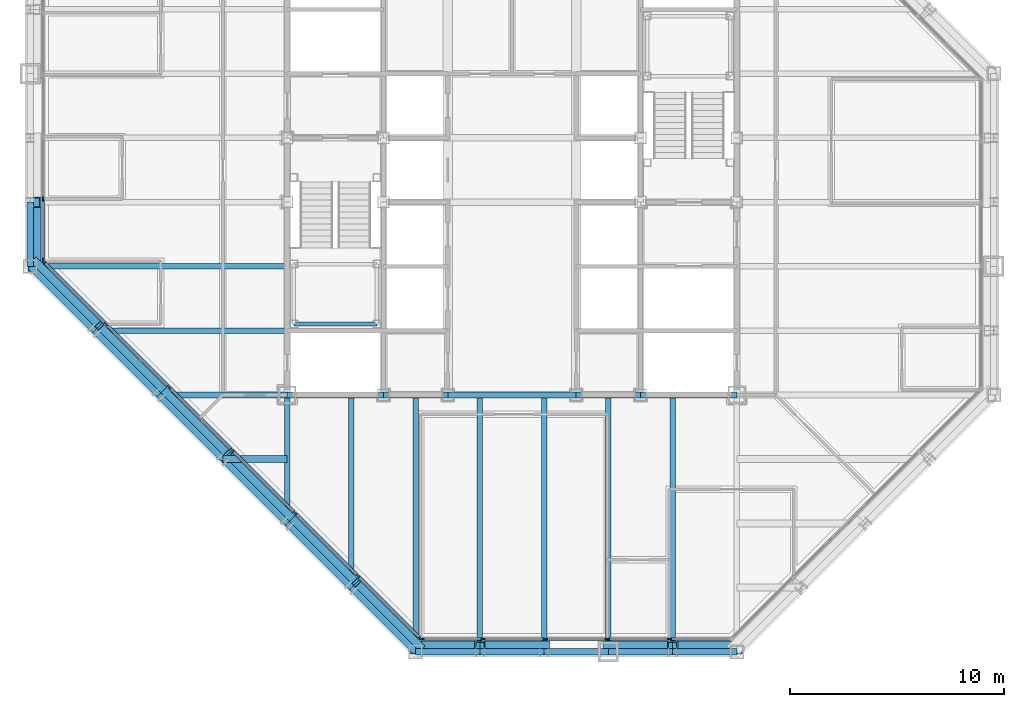
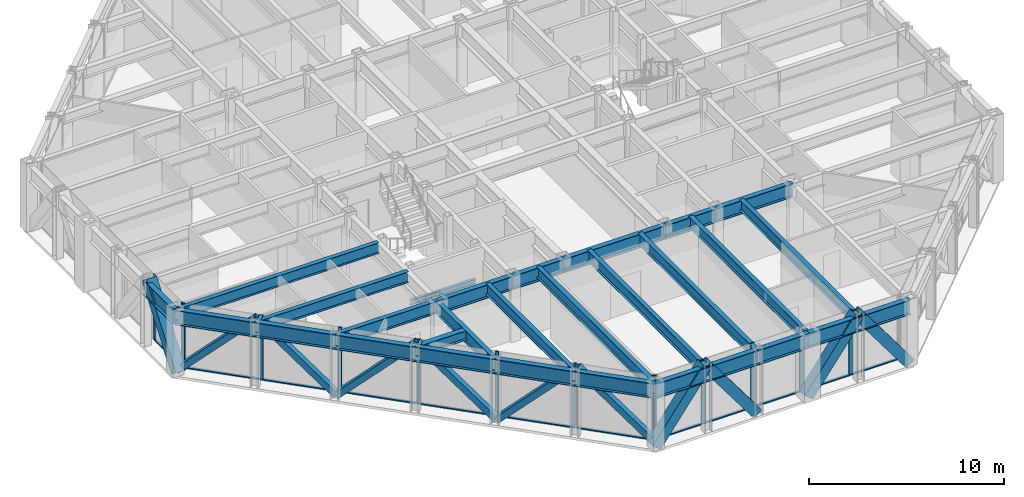
# One storey, part 5 of 16: 37 members, 29 beams, 3 elements without a shape of their own.
"""IFC4 building model written with IfcOpenShell, lengths in metres."""

from ifc_helpers import new_model, si_unit, direction, frame, origin, origin_2d, place, context, subcontext, project, spatial, rectangle, hollow_rectangle, i_section, extrude, material, layer, layer_set, material_profile, profile_set, type_object, element, aggregate, save


model = new_model("IFC4")

# Units and contexts
model_context = context("Model", 3, precision=1e-05, world=origin(), true_north=direction((0.0, 1.0)))
body_context = subcontext(model_context, "Body", "Model", "MODEL_VIEW")
ifc_project = project(units=[si_unit("LENGTHUNIT", "METRE"), si_unit("AREAUNIT", "SQUARE_METRE"), si_unit("VOLUMEUNIT", "CUBIC_METRE"), si_unit("PLANEANGLEUNIT", "RADIAN"), si_unit("MASSUNIT", "GRAM", prefix="KILO")], contexts=[model_context])

# Site, building, storey
site_placement = place(None, origin())
site = spatial("IfcSite", under=ifc_project, at=site_placement, CompositionType="ELEMENT")
building_placement = place(site_placement, origin())
building = spatial("IfcBuilding", under=site, at=building_placement, Name="Chuquiago Exchange Tower", CompositionType="ELEMENT")
storey_placement = place(building_placement, frame((0.0, 0.0, 230.699951171875)))
storey = spatial("IfcBuildingStorey", under=building, at=storey_placement, Name="L51", CompositionType="ELEMENT", Elevation=230.699951171875)

# Beams
ifc_material_1 = material(Name="Steel ASTM A992", Category="steel")
ifc_material_profile_1 = material_profile(ifc_material_1, i_section(OverallWidth=0.25390625, OverallDepth=0.683349609375, WebThickness=0.012451171875, FlangeThickness=0.018798828125, at=origin_2d()), Name="W27X94")
ifc_profile_set_1 = profile_set([ifc_material_profile_1], Name="Steel ASTM A992")
beam_type_1 = type_object("IfcBeamType", Name="B1 W27X94", PredefinedType="BEAM", material=ifc_profile_set_1)
beam_1_placement = place(storey_placement, frame((15.0, 12.0, 3.698486328125), z_axis=(0.0, -1.0, 0.0), x_axis=(1.0, 0.0, 0.0)))
element("IfcBeam", 1, at=beam_1_placement, inside=storey, type_object=beam_type_1, Name="FB-L52-infill-15_12-15_3-0", PredefinedType="BEAM", context=body_context, shape_type="SweptSolid", body=[
    extrude(i_section(OverallWidth=0.25390625, OverallDepth=0.683349609375, WebThickness=0.012451171875, FlangeThickness=0.018798828125, at=origin_2d()), origin(), (0.0, 0.0, 1.0), 9.0),
])
for number, where, z_axis, x_axis, name in (
    (2, (18.0, 12.0, 3.698486328125), (0.0, -1.0, 0.0), (1.0, 0.0, 0.0), "FB-L52-infill-18_12-18_-0-0"),
    (3, (21.0, 12.0, 3.698486328125), (0.0, -1.0, 0.0), (1.0, 0.0, 0.0), "FB-L52-infill-21_12-21_-0-0"),
    (4, (24.0, 12.0, 3.698486328125), (0.0, -1.0, 0.0), (1.0, 0.0, 0.0), "FB-L52-infill-24_12-24_-0-0"),
    (5, (27.0, 12.0, 3.698486328125), (0.0, -1.0, 0.0), (1.0, 0.0, 0.0), "FB-L52-infill-27_12-27_-0-0"),
    (6, (30.0, 12.0, 3.698486328125), (0.0, -1.0, 0.0), (1.0, 0.0, 0.0), "FB-L52-infill-30_12-30_-0-0"),
):
    element("IfcBeam", number, at=place(storey_placement, frame(where, z_axis=z_axis, x_axis=x_axis)), inside=storey, type_object=beam_type_1, Name=name, PredefinedType="BEAM", context=body_context, shape_type="SweptSolid", body=[
        extrude(i_section(OverallWidth=0.25390625, OverallDepth=0.683349609375, WebThickness=0.012451171875, FlangeThickness=0.018798828125, at=origin_2d()), origin(), (0.0, 0.0, 1.0), 12.0),
    ])
beam_2_placement = place(storey_placement, frame((12.0, 15.0, 3.698486328125), z_axis=(-1.0, 0.0, 0.0), x_axis=(0.0, -1.0, 0.0)))
element("IfcBeam", 7, at=beam_2_placement, inside=storey, type_object=beam_type_1, Name="FB-L52-infill-12_15-3_15-0", PredefinedType="BEAM", context=body_context, shape_type="SweptSolid", body=[
    extrude(i_section(OverallWidth=0.25390625, OverallDepth=0.683349609375, WebThickness=0.012451171875, FlangeThickness=0.018798828125, at=origin_2d()), origin(), (0.0, 0.0, 1.0), 9.0),
])
beam_3_placement = place(storey_placement, frame((12.0, 18.0, 3.698486328125), z_axis=(-1.0, 0.0, 0.0), x_axis=(0.0, -1.0, 0.0)))
element("IfcBeam", 8, at=beam_3_placement, inside=storey, type_object=beam_type_1, Name="FB-L52-infill-12_18--0_18-0", PredefinedType="BEAM", context=body_context, shape_type="SweptSolid", body=[
    extrude(i_section(OverallWidth=0.25390625, OverallDepth=0.683349609375, WebThickness=0.012451171875, FlangeThickness=0.018798828125, at=origin_2d()), origin(), (0.0, 0.0, 1.0), 12.0),
])
ifc_material_2 = material(Name="Steel ASTM A992", Category="steel")
ifc_material_profile_2 = material_profile(ifc_material_2, i_section(OverallWidth=0.3251953125, OverallDepth=0.612060546875, WebThickness=0.0126953125, FlangeThickness=0.01904296875, at=origin_2d()), Name="W24X104")
ifc_profile_set_2 = profile_set([ifc_material_profile_2], Name="Steel ASTM A992")
beam_type_2 = type_object("IfcBeamType", Name="B2 W24X104", PredefinedType="BEAM", material=ifc_profile_set_2)
beam_4_placement = place(storey_placement, frame((12.0, 9.0, 3.73388671875), z_axis=(-1.0, 0.0, 0.0), x_axis=(0.0, -1.0, 0.0)))
element("IfcBeam", 9, at=beam_4_placement, inside=storey, type_object=beam_type_2, Name="FB-L52-corner-12_9-9_9-0", PredefinedType="BEAM", context=body_context, shape_type="SweptSolid", body=[
    extrude(i_section(OverallWidth=0.3251953125, OverallDepth=0.612060546875, WebThickness=0.0126953125, FlangeThickness=0.01904296875, at=origin_2d()), origin(), (0.0, 0.0, 1.0), 3.0),
])
ifc_material_3 = material(Name="Steel ASTM A992", Category="steel")
ifc_material_profile_3 = material_profile(ifc_material_3, i_section(OverallWidth=0.2919921875, OverallDepth=0.8583984375, WebThickness=0.01708984375, FlangeThickness=0.031005859375, at=origin_2d()), Name="W33X169")
ifc_profile_set_3 = profile_set([ifc_material_profile_3], Name="Steel ASTM A992")
beam_type_3 = type_object("IfcBeamType", Name="B3 W33X169", PredefinedType="BEAM", material=ifc_profile_set_3)
beam_5_placement = place(storey_placement, frame((12.0, 12.0, 3.61083984375), z_axis=(1.0, 0.0, 0.0), x_axis=(0.0, 1.0, 0.0)))
element("IfcBeam", 10, at=beam_5_placement, inside=storey, type_object=beam_type_3, Name="CB-L52-12_12-16.5_12", PredefinedType="BEAM", context=body_context, shape_type="SweptSolid", body=[
    extrude(i_section(OverallWidth=0.2919921875, OverallDepth=0.8583984375, WebThickness=0.01708984375, FlangeThickness=0.031005859375, at=origin_2d()), origin(), (0.0, 0.0, 1.0), 4.5),
])
beam_6_placement = place(storey_placement, frame((16.5, 12.0, 3.61083984375), z_axis=(1.0, 0.0, 0.0), x_axis=(0.0, 1.0, 0.0)))
element("IfcBeam", 11, at=beam_6_placement, inside=storey, type_object=beam_type_3, Name="CB-L52-16.5_12-19.5_12", PredefinedType="BEAM", context=body_context, shape_type="SweptSolid", body=[
    extrude(i_section(OverallWidth=0.2919921875, OverallDepth=0.8583984375, WebThickness=0.01708984375, FlangeThickness=0.031005859375, at=origin_2d()), origin(), (0.0, 0.0, 1.0), 3.0),
])
beam_7_placement = place(storey_placement, frame((19.5, 12.0, 3.61083984375), z_axis=(1.0, 0.0, 0.0), x_axis=(0.0, 1.0, 0.0)))
element("IfcBeam", 12, at=beam_7_placement, inside=storey, type_object=beam_type_3, Name="CB-L52-19.5_12-25.5_12", PredefinedType="BEAM", context=body_context, shape_type="SweptSolid", body=[
    extrude(i_section(OverallWidth=0.2919921875, OverallDepth=0.8583984375, WebThickness=0.01708984375, FlangeThickness=0.031005859375, at=origin_2d()), origin(), (0.0, 0.0, 1.0), 6.0),
])
beam_8_placement = place(storey_placement, frame((25.5, 12.0, 3.61083984375), z_axis=(1.0, 0.0, 0.0), x_axis=(0.0, 1.0, 0.0)))
element("IfcBeam", 13, at=beam_8_placement, inside=storey, type_object=beam_type_3, Name="CB-L52-25.5_12-28.5_12", PredefinedType="BEAM", context=body_context, shape_type="SweptSolid", body=[
    extrude(i_section(OverallWidth=0.2919921875, OverallDepth=0.8583984375, WebThickness=0.01708984375, FlangeThickness=0.031005859375, at=origin_2d()), origin(), (0.0, 0.0, 1.0), 3.0),
])
beam_9_placement = place(storey_placement, frame((28.5, 12.0, 3.61083984375), z_axis=(1.0, 0.0, 0.0), x_axis=(0.0, 1.0, 0.0)))
element("IfcBeam", 14, at=beam_9_placement, inside=storey, type_object=beam_type_3, Name="CB-L52-28.5_12-33_12", PredefinedType="BEAM", context=body_context, shape_type="SweptSolid", body=[
    extrude(i_section(OverallWidth=0.2919921875, OverallDepth=0.8583984375, WebThickness=0.01708984375, FlangeThickness=0.031005859375, at=origin_2d()), origin(), (0.0, 0.0, 1.0), 4.5),
])

# Curtain wall, members
ifc_material_4 = material(Name="Aluminium curtain wall system", Category="aluminium")
ifc_layer_1 = layer(ifc_material_4, 0.22509765625)
ifc_layer_set_1 = layer_set([ifc_layer_1], Name="CW2 office curtain wall")
curtain_wall_type_1 = type_object("IfcCurtainWallType", Name="CW2 office curtain wall", PredefinedType="NOTDEFINED", material=ifc_layer_set_1)
curtain_wall_1_placement = place(storey_placement, origin())
curtain_wall_1 = element("IfcCurtainWall", 15, at=curtain_wall_1_placement, inside=storey, type_object=curtain_wall_type_1, Name="CW2 curtain wall L51", PredefinedType="NOTDEFINED")
ifc_material_5 = material(Name="Aluminium mullion, pale anodised", Category="aluminium")
ifc_material_profile_4 = material_profile(ifc_material_5, rectangle(XDim=0.06494140625, YDim=0.22509765625, at=origin_2d()), Name="AL 65x225")
ifc_profile_set_4 = profile_set([ifc_material_profile_4], Name="Aluminium mullion, pale anodised")
member_type_1 = type_object("IfcMemberType", Name="CW2-M mullion 65x225", PredefinedType="MULLION", material=ifc_profile_set_4)
member_1_placement = place(storey_placement, frame((18.281005859375, 0.60009765625, 0.0), z_axis=(0.0, 0.0, 1.0), x_axis=(0.0, 1.0, 0.0)))
member_1 = element("IfcMember", 16, at=member_1_placement, type_object=member_type_1, Name="CW2 mullion 1", PredefinedType="MULLION", context=body_context, shape_type="SweptSolid", body=[
    extrude(rectangle(XDim=0.06494140625, YDim=0.22509765625, at=origin_2d()), origin(), (0.0, 0.0, 1.0), 4.0400390625),
])
member_2_placement = place(storey_placement, frame((21.149169921875, 0.60009765625, 0.0), z_axis=(0.0, 0.0, 1.0), x_axis=(0.0, 1.0, 0.0)))
member_2 = element("IfcMember", 17, at=member_2_placement, type_object=member_type_1, Name="CW2 mullion 2", PredefinedType="MULLION", context=body_context, shape_type="SweptSolid", body=[
    extrude(rectangle(XDim=0.06494140625, YDim=0.22509765625, at=origin_2d()), origin(), (0.0, 0.0, 1.0), 4.0400390625),
])
member_3_placement = place(storey_placement, frame((24.0498046875, 0.60009765625, 0.0), z_axis=(0.0, 0.0, 1.0), x_axis=(0.0, 1.0, 0.0)))
member_3 = element("IfcMember", 18, at=member_3_placement, type_object=member_type_1, Name="CW2 mullion 3", PredefinedType="MULLION", context=body_context, shape_type="SweptSolid", body=[
    extrude(rectangle(XDim=0.06494140625, YDim=0.22509765625, at=origin_2d()), origin(), (0.0, 0.0, 1.0), 4.0400390625),
])
member_4_placement = place(storey_placement, frame((26.9501953125, 0.60009765625, 0.0), z_axis=(0.0, 0.0, 1.0), x_axis=(0.0, 1.0, 0.0)))
member_4 = element("IfcMember", 19, at=member_4_placement, type_object=member_type_1, Name="CW2 mullion 4", PredefinedType="MULLION", context=body_context, shape_type="SweptSolid", body=[
    extrude(rectangle(XDim=0.06494140625, YDim=0.22509765625, at=origin_2d()), origin(), (0.0, 0.0, 1.0), 4.0400390625),
])
member_5_placement = place(storey_placement, frame((29.850830078125, 0.60009765625, 0.0), z_axis=(0.0, 0.0, 1.0), x_axis=(0.0, 1.0, 0.0)))
member_5 = element("IfcMember", 20, at=member_5_placement, type_object=member_type_1, Name="CW2 mullion 5", PredefinedType="MULLION", context=body_context, shape_type="SweptSolid", body=[
    extrude(rectangle(XDim=0.06494140625, YDim=0.22509765625, at=origin_2d()), origin(), (0.0, 0.0, 1.0), 4.0400390625),
])

curtain_wall_2_placement = place(storey_placement, origin())
curtain_wall_2 = element("IfcCurtainWall", 21, at=curtain_wall_2_placement, inside=storey, type_object=curtain_wall_type_1, Name="CW2 curtain wall L51", PredefinedType="NOTDEFINED")
member_6_placement = place(storey_placement, frame((0.60009765625, 21.149169921875, 0.0), z_axis=(0.0, 0.0, 1.0), x_axis=(1.0, 0.0, 0.0)))
member_6 = element("IfcMember", 22, at=member_6_placement, type_object=member_type_1, Name="CW2 mullion 5", PredefinedType="MULLION", context=body_context, shape_type="SweptSolid", body=[
    extrude(rectangle(XDim=0.06494140625, YDim=0.22509765625, at=origin_2d()), origin(), (0.0, 0.0, 1.0), 4.0400390625),
])
member_7_placement = place(storey_placement, frame((0.60009765625, 18.281005859375, 0.0), z_axis=(0.0, 0.0, 1.0), x_axis=(1.0, 0.0, 0.0)))
member_7 = element("IfcMember", 23, at=member_7_placement, type_object=member_type_1, Name="CW2 mullion 6", PredefinedType="MULLION", context=body_context, shape_type="SweptSolid", body=[
    extrude(rectangle(XDim=0.06494140625, YDim=0.22509765625, at=origin_2d()), origin(), (0.0, 0.0, 1.0), 4.0400390625),
])

# Member
ifc_material_6 = material(Name="Aluminium transom, pale anodised", Category="aluminium")
ifc_material_profile_5 = material_profile(ifc_material_6, rectangle(XDim=0.139892578125, YDim=0.06494140625, at=origin_2d()), Name="AL 140x65")
ifc_profile_set_5 = profile_set([ifc_material_profile_5], Name="Aluminium transom, pale anodised")
member_type_2 = type_object("IfcMemberType", Name="CW2-T transom 65x140", PredefinedType="MULLION", material=ifc_profile_set_5)
member_8_placement = place(storey_placement, frame((18.3134765625, 0.60009765625, 0.032470703125), z_axis=(1.0, 0.0, 0.0), x_axis=(0.0, 1.0, 0.0)))
member_8 = element("IfcMember", 24, at=member_8_placement, type_object=member_type_2, Name="CW2 transom 1.1", PredefinedType="MULLION", context=body_context, shape_type="SweptSolid", body=[
    extrude(rectangle(XDim=0.139892578125, YDim=0.06494140625, at=origin_2d()), origin(), (0.0, 0.0, 1.0), 2.80322265625),
])

member_9_placement = place(storey_placement, frame((21.181640625, 0.60009765625, 0.032470703125), z_axis=(1.0, 0.0, 0.0), x_axis=(0.0, 1.0, 0.0)))
member_9 = element("IfcMember", 25, at=member_9_placement, type_object=member_type_2, Name="CW2 transom 2.1", PredefinedType="MULLION", context=body_context, shape_type="SweptSolid", body=[
    extrude(rectangle(XDim=0.139892578125, YDim=0.06494140625, at=origin_2d()), origin(), (0.0, 0.0, 1.0), 2.83544921875),
])

member_10_placement = place(storey_placement, frame((24.082275390625, 0.60009765625, 0.032470703125), z_axis=(1.0, 0.0, 0.0), x_axis=(0.0, 1.0, 0.0)))
member_10 = element("IfcMember", 26, at=member_10_placement, type_object=member_type_2, Name="CW2 transom 3.1", PredefinedType="MULLION", context=body_context, shape_type="SweptSolid", body=[
    extrude(rectangle(XDim=0.139892578125, YDim=0.06494140625, at=origin_2d()), origin(), (0.0, 0.0, 1.0), 2.83544921875),
])

member_11_placement = place(storey_placement, frame((26.98291015625, 0.60009765625, 0.032470703125), z_axis=(1.0, 0.0, 0.0), x_axis=(0.0, 1.0, 0.0)))
member_11 = element("IfcMember", 27, at=member_11_placement, type_object=member_type_2, Name="CW2 transom 4.1", PredefinedType="MULLION", context=body_context, shape_type="SweptSolid", body=[
    extrude(rectangle(XDim=0.139892578125, YDim=0.06494140625, at=origin_2d()), origin(), (0.0, 0.0, 1.0), 2.83544921875),
])

member_12_placement = place(storey_placement, frame((29.88330078125, 0.60009765625, 0.032470703125), z_axis=(1.0, 0.0, 0.0), x_axis=(0.0, 1.0, 0.0)))
member_12 = element("IfcMember", 28, at=member_12_placement, type_object=member_type_2, Name="CW2 transom 5.1", PredefinedType="MULLION", context=body_context, shape_type="SweptSolid", body=[
    extrude(rectangle(XDim=0.139892578125, YDim=0.06494140625, at=origin_2d()), origin(), (0.0, 0.0, 1.0), 2.80322265625),
])

aggregate(curtain_wall_1, [member_1, member_2, member_3, member_4, member_5, member_8, member_9, member_10, member_11, member_12])

member_13_placement = place(storey_placement, frame((0.60009765625, 21.11669921875, 0.032470703125), z_axis=(0.0, -1.0, 0.0), x_axis=(1.0, 0.0, 0.0)))
member_13 = element("IfcMember", 29, at=member_13_placement, type_object=member_type_2, Name="CW2 transom 5.1", PredefinedType="MULLION", context=body_context, shape_type="SweptSolid", body=[
    extrude(rectangle(XDim=0.139892578125, YDim=0.06494140625, at=origin_2d()), origin(), (0.0, 0.0, 1.0), 2.80322265625),
])

aggregate(curtain_wall_2, [member_6, member_7, member_13])

# Curtain wall, members
ifc_material_7 = material(Name="Aluminium curtain wall system", Category="aluminium")
ifc_layer_2 = layer(ifc_material_7, 0.199951171875)
ifc_layer_set_2 = layer_set([ifc_layer_2], Name="CW3 facet curtain wall")
curtain_wall_type_2 = type_object("IfcCurtainWallType", Name="CW3 facet curtain wall", PredefinedType="NOTDEFINED", material=ifc_layer_set_2)
curtain_wall_3_placement = place(storey_placement, origin())
curtain_wall_3 = element("IfcCurtainWall", 30, at=curtain_wall_3_placement, inside=storey, type_object=curtain_wall_type_2, Name="CW3 curtain wall L51", PredefinedType="NOTDEFINED")
ifc_material_8 = material(Name="Aluminium mullion, pale anodised", Category="aluminium")
ifc_material_profile_6 = material_profile(ifc_material_8, rectangle(XDim=0.06494140625, YDim=0.199951171875, at=origin_2d()), Name="AL 65x200")
ifc_profile_set_6 = profile_set([ifc_material_profile_6], Name="Aluminium mullion, pale anodised")
member_type_3 = type_object("IfcMemberType", Name="CW3-M mullion 65x200", PredefinedType="MULLION", material=ifc_profile_set_6)
member_14_placement = place(storey_placement, frame((0.623046875, 18.2255859375, 0.0), z_axis=(0.0, 0.0, 1.0), x_axis=(0.707106781187, 0.707106781187, 0.0)))
member_14 = element("IfcMember", 31, at=member_14_placement, type_object=member_type_3, Name="CW3 mullion 1", PredefinedType="MULLION", context=body_context, shape_type="SweptSolid", body=[
    extrude(rectangle(XDim=0.06494140625, YDim=0.199951171875, at=origin_2d()), origin(), (0.0, 0.0, 1.0), 4.0400390625),
])
member_15_placement = place(storey_placement, frame((3.54150390625, 15.30712890625, 0.0), z_axis=(0.0, 0.0, 1.0), x_axis=(0.707106781187, 0.707106781187, 0.0)))
member_15 = element("IfcMember", 32, at=member_15_placement, type_object=member_type_3, Name="CW3 mullion 2", PredefinedType="MULLION", context=body_context, shape_type="SweptSolid", body=[
    extrude(rectangle(XDim=0.06494140625, YDim=0.199951171875, at=origin_2d()), origin(), (0.0, 0.0, 1.0), 4.0400390625),
])
member_16_placement = place(storey_placement, frame((6.48291015625, 12.36572265625, 0.0), z_axis=(0.0, 0.0, 1.0), x_axis=(0.707106781187, 0.707106781187, 0.0)))
member_16 = element("IfcMember", 33, at=member_16_placement, type_object=member_type_3, Name="CW3 mullion 3", PredefinedType="MULLION", context=body_context, shape_type="SweptSolid", body=[
    extrude(rectangle(XDim=0.06494140625, YDim=0.199951171875, at=origin_2d()), origin(), (0.0, 0.0, 1.0), 4.0400390625),
])
member_17_placement = place(storey_placement, frame((9.42431640625, 9.42431640625, 0.0), z_axis=(0.0, 0.0, 1.0), x_axis=(0.707106781187, 0.707106781187, 0.0)))
member_17 = element("IfcMember", 34, at=member_17_placement, type_object=member_type_3, Name="CW3 mullion 4", PredefinedType="MULLION", context=body_context, shape_type="SweptSolid", body=[
    extrude(rectangle(XDim=0.06494140625, YDim=0.199951171875, at=origin_2d()), origin(), (0.0, 0.0, 1.0), 4.0400390625),
])
member_18_placement = place(storey_placement, frame((12.36572265625, 6.48291015625, 0.0), z_axis=(0.0, 0.0, 1.0), x_axis=(0.707106781187, 0.707106781187, 0.0)))
member_18 = element("IfcMember", 35, at=member_18_placement, type_object=member_type_3, Name="CW3 mullion 5", PredefinedType="MULLION", context=body_context, shape_type="SweptSolid", body=[
    extrude(rectangle(XDim=0.06494140625, YDim=0.199951171875, at=origin_2d()), origin(), (0.0, 0.0, 1.0), 4.0400390625),
])
member_19_placement = place(storey_placement, frame((15.30712890625, 3.54150390625, 0.0), z_axis=(0.0, 0.0, 1.0), x_axis=(0.707106781187, 0.707106781187, 0.0)))
member_19 = element("IfcMember", 36, at=member_19_placement, type_object=member_type_3, Name="CW3 mullion 6", PredefinedType="MULLION", context=body_context, shape_type="SweptSolid", body=[
    extrude(rectangle(XDim=0.06494140625, YDim=0.199951171875, at=origin_2d()), origin(), (0.0, 0.0, 1.0), 4.0400390625),
])
member_20_placement = place(storey_placement, frame((18.2255859375, 0.623046875, 0.0), z_axis=(0.0, 0.0, 1.0), x_axis=(0.707106781187, 0.707106781187, 0.0)))
member_20 = element("IfcMember", 37, at=member_20_placement, type_object=member_type_3, Name="CW3 mullion 7", PredefinedType="MULLION", context=body_context, shape_type="SweptSolid", body=[
    extrude(rectangle(XDim=0.06494140625, YDim=0.199951171875, at=origin_2d()), origin(), (0.0, 0.0, 1.0), 4.0400390625),
])
ifc_material_9 = material(Name="Aluminium transom, pale anodised", Category="aluminium")
ifc_material_profile_7 = material_profile(ifc_material_9, rectangle(XDim=0.139892578125, YDim=0.06494140625, at=origin_2d()), Name="AL 140x65")
ifc_profile_set_7 = profile_set([ifc_material_profile_7], Name="Aluminium transom, pale anodised")
member_type_4 = type_object("IfcMemberType", Name="CW3-T transom 65x140", PredefinedType="MULLION", material=ifc_profile_set_7)
member_21_placement = place(storey_placement, frame((0.64599609375, 18.20263671875, 0.032470703125), z_axis=(0.707106781187, -0.707106781187, 0.0), x_axis=(0.707106781187, 0.707106781187, 0.0)))
member_21 = element("IfcMember", 38, at=member_21_placement, type_object=member_type_4, Name="CW3 transom 1.1", PredefinedType="MULLION", context=body_context, shape_type="SweptSolid", body=[
    extrude(rectangle(XDim=0.139892578125, YDim=0.06494140625, at=origin_2d()), origin(), (0.0, 0.0, 1.0), 4.0625),
])
member_22_placement = place(storey_placement, frame((3.564453125, 15.2841796875, 0.032470703125), z_axis=(0.707106781187, -0.707106781187, 0.0), x_axis=(0.707106781187, 0.707106781187, 0.0)))
member_22 = element("IfcMember", 39, at=member_22_placement, type_object=member_type_4, Name="CW3 transom 2.1", PredefinedType="MULLION", context=body_context, shape_type="SweptSolid", body=[
    extrude(rectangle(XDim=0.139892578125, YDim=0.06494140625, at=origin_2d()), origin(), (0.0, 0.0, 1.0), 4.094970703125),
])
member_23_placement = place(storey_placement, frame((6.505859375, 12.3427734375, 0.032470703125), z_axis=(0.707106781187, -0.707106781187, 0.0), x_axis=(0.707106781187, 0.707106781187, 0.0)))
member_23 = element("IfcMember", 40, at=member_23_placement, type_object=member_type_4, Name="CW3 transom 3.1", PredefinedType="MULLION", context=body_context, shape_type="SweptSolid", body=[
    extrude(rectangle(XDim=0.139892578125, YDim=0.06494140625, at=origin_2d()), origin(), (0.0, 0.0, 1.0), 4.094970703125),
])
member_24_placement = place(storey_placement, frame((9.447265625, 9.4013671875, 0.032470703125), z_axis=(0.707106781187, -0.707106781187, 0.0), x_axis=(0.707106781187, 0.707106781187, 0.0)))
member_24 = element("IfcMember", 41, at=member_24_placement, type_object=member_type_4, Name="CW3 transom 4.1", PredefinedType="MULLION", context=body_context, shape_type="SweptSolid", body=[
    extrude(rectangle(XDim=0.139892578125, YDim=0.06494140625, at=origin_2d()), origin(), (0.0, 0.0, 1.0), 4.094970703125),
])
member_25_placement = place(storey_placement, frame((12.388671875, 6.4599609375, 0.032470703125), z_axis=(0.707106781187, -0.707106781187, 0.0), x_axis=(0.707106781187, 0.707106781187, 0.0)))
member_25 = element("IfcMember", 42, at=member_25_placement, type_object=member_type_4, Name="CW3 transom 5.1", PredefinedType="MULLION", context=body_context, shape_type="SweptSolid", body=[
    extrude(rectangle(XDim=0.139892578125, YDim=0.06494140625, at=origin_2d()), origin(), (0.0, 0.0, 1.0), 4.094970703125),
])
member_26_placement = place(storey_placement, frame((15.330078125, 3.5185546875, 0.032470703125), z_axis=(0.707106781187, -0.707106781187, 0.0), x_axis=(0.707106781187, 0.707106781187, 0.0)))
member_26 = element("IfcMember", 43, at=member_26_placement, type_object=member_type_4, Name="CW3 transom 6.1", PredefinedType="MULLION", context=body_context, shape_type="SweptSolid", body=[
    extrude(rectangle(XDim=0.139892578125, YDim=0.06494140625, at=origin_2d()), origin(), (0.0, 0.0, 1.0), 4.0625),
])
aggregate(curtain_wall_3, [member_14, member_15, member_16, member_17, member_18, member_19, member_20, member_21, member_22, member_23, member_24, member_25, member_26])

# Beams
ifc_material_10 = material(Name="Steel ASTM A992", Category="steel")
ifc_material_profile_8 = material_profile(ifc_material_10, i_section(OverallWidth=0.2666015625, OverallDepth=0.76953125, WebThickness=0.015625, FlangeThickness=0.025390625, at=origin_2d()), Name="W30X132")
ifc_profile_set_8 = profile_set([ifc_material_profile_8], Name="Steel ASTM A992")
beam_type_4 = type_object("IfcBeamType", Name="G1 W30X132", PredefinedType="BEAM", material=ifc_profile_set_8)
for number, where, z_axis, x_axis, name in (
    (44, (12.0, 12.0, 3.6552734375), (0.0, -1.0, 0.0), (1.0, 0.0, 0.0), "FB-L52-girder-12_12-12_6-0"),
    (45, (12.0, 12.0, 3.6552734375), (-1.0, 0.0, 0.0), (0.0, -1.0, 0.0), "FB-L52-girder-12_12-6_12-0"),
):
    element("IfcBeam", number, at=place(storey_placement, frame(where, z_axis=z_axis, x_axis=x_axis)), inside=storey, type_object=beam_type_4, Name=name, PredefinedType="BEAM", context=body_context, shape_type="SweptSolid", body=[
        extrude(i_section(OverallWidth=0.2666015625, OverallDepth=0.76953125, WebThickness=0.015625, FlangeThickness=0.025390625, at=origin_2d()), origin(), (0.0, 0.0, 1.0), 6.0),
    ])

# Members
ifc_material_11 = material(Name="Steel ASTM A500 Grade C", Category="steel")
ifc_material_profile_9 = material_profile(ifc_material_11, hollow_rectangle(XDim=0.355712890625, YDim=0.355712890625, WallThickness=0.0146484375, at=origin_2d()), Name="HSS14X14X5/8")
ifc_profile_set_9 = profile_set([ifc_material_profile_9], Name="Steel ASTM A500 Grade C")
member_type_5 = type_object("IfcMemberType", Name="LB2 HSS14X14X5/8", PredefinedType="BRACE", material=ifc_profile_set_9)
for number, where, z_axis, x_axis, name in (
    (46, (0.2314453125, 18.2314453125, 0.0), (0.512077265487, -0.512077265487, 0.689604051861), (0.707106781187, 0.707106781187, 0.0), "LB-L51-0_18-3_15"),
    (47, (6.2314453125, 12.2314453125, 0.0), (-0.512077265487, 0.512077265487, 0.689604051861), (-0.707106781187, -0.707106781187, 0.0), "LB-L51-3_15-6_12"),
    (48, (6.2314453125, 12.2314453125, 0.0), (0.512077265487, -0.512077265487, 0.689604051861), (0.707106781187, 0.707106781187, 0.0), "LB-L51-6_12-9_9"),
    (49, (12.2314453125, 6.2314453125, 0.0), (-0.512077265487, 0.512077265487, 0.689604051861), (-0.707106781187, -0.707106781187, 0.0), "LB-L51-9_9-12_6"),
    (50, (12.2314453125, 6.2314453125, 0.0), (0.512077265487, -0.512077265487, 0.689604051861), (0.707106781187, 0.707106781187, 0.0), "LB-L51-12_6-15_3"),
    (51, (18.2314453125, 0.2314453125, 0.0), (-0.512077265487, 0.512077265487, 0.689604051861), (-0.707106781187, -0.707106781187, 0.0), "LB-L51-15_3-18_0"),
):
    element("IfcMember", number, at=place(storey_placement, frame(where, z_axis=z_axis, x_axis=x_axis)), inside=storey, type_object=member_type_5, Name=name, PredefinedType="BRACE", context=body_context, shape_type="SweptSolid", body=[
        extrude(hollow_rectangle(XDim=0.355712890625, YDim=0.355712890625, WallThickness=0.0146484375, at=origin_2d()), origin(), (0.0, 0.0, 1.0), 5.8583984375),
    ])

# Beam
ifc_material_12 = material(Name="Steel ASTM A992", Category="steel")
ifc_material_profile_10 = material_profile(ifc_material_12, i_section(OverallWidth=0.164794921875, OverallDepth=0.309814453125, WebThickness=0.005859375, FlangeThickness=0.009765625, at=origin_2d()), Name="W12X26")
ifc_profile_set_10 = profile_set([ifc_material_profile_10], Name="Steel ASTM A992")
beam_type_5 = type_object("IfcBeamType", Name="LT1 W12X26", PredefinedType="BEAM", material=ifc_profile_set_10)
beam_10_placement = place(storey_placement, frame((12.31005859375, 15.31005859375, 1.7451171875), z_axis=(1.0, 0.0, 0.0), x_axis=(0.0, 1.0, 0.0)))
element("IfcBeam", 52, at=beam_10_placement, inside=storey, type_object=beam_type_5, Name="Stair ST1 L51 landing 1 trimmer", PredefinedType="BEAM", context=body_context, shape_type="SweptSolid", body=[
    extrude(i_section(OverallWidth=0.164794921875, OverallDepth=0.309814453125, WebThickness=0.005859375, FlangeThickness=0.009765625, at=origin_2d()), origin(), (0.0, 0.0, 1.0), 3.8798828125),
])

# Members
ifc_material_13 = material(Name="Steel ASTM A572 Grade 50", Category="steel")
ifc_material_profile_11 = material_profile(ifc_material_13, hollow_rectangle(XDim=0.60009765625, YDim=0.60009765625, WallThickness=0.06005859375, at=origin_2d()), Name="BOX600X600X60")
ifc_profile_set_11 = profile_set([ifc_material_profile_11], Name="Steel ASTM A572 Grade 50")
member_type_6 = type_object("IfcMemberType", Name="MB3 BOX600X600X60", PredefinedType="BRACE", material=ifc_profile_set_11)
for number, where, z_axis, x_axis, name in (
    (53, (18.0, 0.205078125, 0.0), (0.596173923302, 0.0, 0.802855312728), (0.0, 1.0, 0.0), "Mega diagonal L51 S face"),
    (54, (24.0, 0.205078125, 0.0), (-0.596173923302, 0.0, 0.802855312728), (0.0, -1.0, 0.0), "Mega diagonal L51 S face"),
    (55, (27.0, 0.205078125, 0.0), (0.596173923302, 0.0, 0.802855312728), (0.0, 1.0, 0.0), "Mega diagonal L51 S face"),
    (56, (33.0, 0.205078125, 0.0), (-0.596173923302, 0.0, 0.802855312728), (0.0, -1.0, 0.0), "Mega diagonal L51 S face"),
    (57, (0.205078125, 18.0, 0.0), (0.0, 0.596173923302, 0.802855312728), (-1.0, 0.0, 0.0), "Mega diagonal L51 W face"),
):
    element("IfcMember", number, at=place(storey_placement, frame(where, z_axis=z_axis, x_axis=x_axis)), inside=storey, type_object=member_type_6, Name=name, PredefinedType="BRACE", context=body_context, shape_type="SweptSolid", body=[
        extrude(hollow_rectangle(XDim=0.60009765625, YDim=0.60009765625, WallThickness=0.06005859375, at=origin_2d()), origin(), (0.0, 0.0, 1.0), 5.031982421875),
    ])

# Beams
ifc_material_14 = material(Name="Steel ASTM A992", Category="steel")
ifc_material_profile_12 = material_profile(ifc_material_14, i_section(OverallWidth=0.307373046875, OverallDepth=0.927001953125, WebThickness=0.01953125, FlangeThickness=0.031982421875, at=origin_2d()), Name="W36X194")
ifc_profile_set_12 = profile_set([ifc_material_profile_12], Name="Steel ASTM A992")
beam_type_6 = type_object("IfcBeamType", Name="SP3 W36X194", PredefinedType="SPANDREL", material=ifc_profile_set_12)
for number, where, z_axis, x_axis, name in (
    (58, (18.0, 0.0, 3.57666015625), (1.0, 0.0, 0.0), (0.0, 1.0, 0.0), "SPB-L52-18_0-21_0"),
    (59, (21.0, 0.0, 3.57666015625), (1.0, 0.0, 0.0), (0.0, 1.0, 0.0), "SPB-L52-21_0-24_0"),
    (60, (24.0, 0.0, 3.57666015625), (1.0, 0.0, 0.0), (0.0, 1.0, 0.0), "SPB-L52-24_0-27_0"),
    (61, (27.0, 0.0, 3.57666015625), (1.0, 0.0, 0.0), (0.0, 1.0, 0.0), "SPB-L52-27_0-30_0"),
    (62, (30.0, 0.0, 3.57666015625), (1.0, 0.0, 0.0), (0.0, 1.0, 0.0), "SPB-L52-30_0-33_0"),
    (63, (0.0, 21.0, 3.57666015625), (0.0, -1.0, 0.0), (1.0, 0.0, 0.0), "SPB-L52-0_21-0_18"),
):
    element("IfcBeam", number, at=place(storey_placement, frame(where, z_axis=z_axis, x_axis=x_axis)), inside=storey, type_object=beam_type_6, Name=name, PredefinedType="SPANDREL", context=body_context, shape_type="SweptSolid", body=[
        extrude(i_section(OverallWidth=0.307373046875, OverallDepth=0.927001953125, WebThickness=0.01953125, FlangeThickness=0.031982421875, at=origin_2d()), origin(), (0.0, 0.0, 1.0), 3.0),
    ])
for number, where, z_axis, x_axis, name in (
    (64, (0.0, 18.0, 3.57666015625), (0.707106781187, -0.707106781187, 0.0), (0.707106781187, 0.707106781187, 0.0), "SPB-L52-0_18-3_15"),
    (65, (3.0, 15.0, 3.57666015625), (0.707106781187, -0.707106781187, 0.0), (0.707106781187, 0.707106781187, 0.0), "SPB-L52-3_15-6_12"),
    (66, (6.0, 12.0, 3.57666015625), (0.707106781187, -0.707106781187, 0.0), (0.707106781187, 0.707106781187, 0.0), "SPB-L52-6_12-9_9"),
    (67, (9.0, 9.0, 3.57666015625), (0.707106781187, -0.707106781187, 0.0), (0.707106781187, 0.707106781187, 0.0), "SPB-L52-9_9-12_6"),
    (68, (12.0, 6.0, 3.57666015625), (0.707106781187, -0.707106781187, 0.0), (0.707106781187, 0.707106781187, 0.0), "SPB-L52-12_6-15_3"),
    (69, (15.0, 3.0, 3.57666015625), (0.707106781187, -0.707106781187, 0.0), (0.707106781187, 0.707106781187, 0.0), "SPB-L52-15_3-18_0"),
):
    element("IfcBeam", number, at=place(storey_placement, frame(where, z_axis=z_axis, x_axis=x_axis)), inside=storey, type_object=beam_type_6, Name=name, PredefinedType="SPANDREL", context=body_context, shape_type="SweptSolid", body=[
        extrude(i_section(OverallWidth=0.307373046875, OverallDepth=0.927001953125, WebThickness=0.01953125, FlangeThickness=0.031982421875, at=origin_2d()), origin(), (0.0, 0.0, 1.0), 4.24267578125),
    ])

save(model, "model.ifc")
